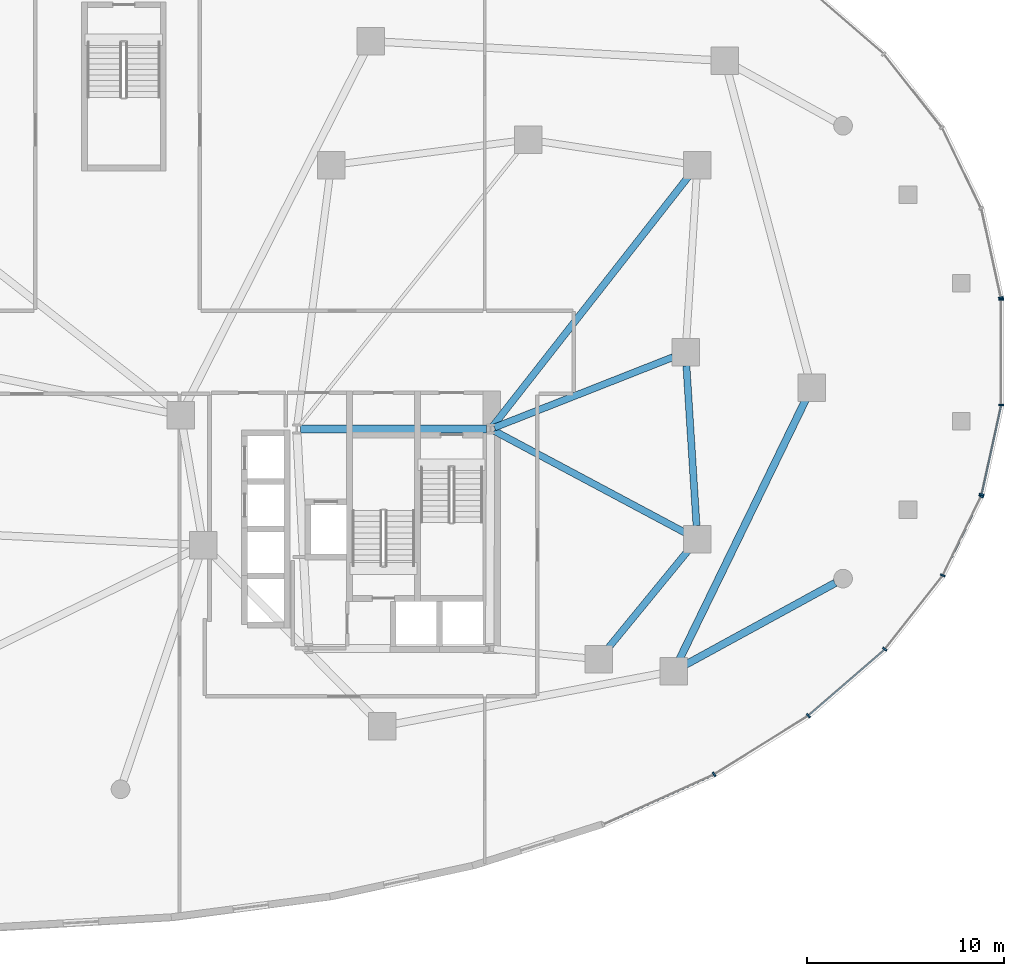
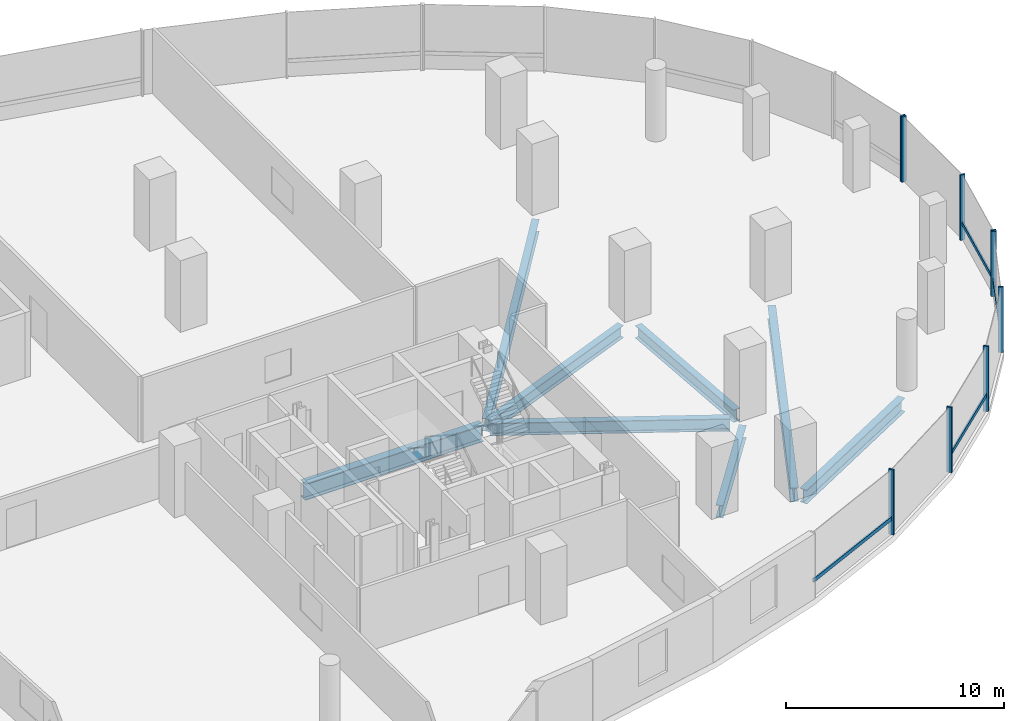
# One storey, part 8 of 19: 13 members, 8 beams, 3 elements without a shape of their own.
"""IFC4 building model written with IfcOpenShell, lengths in metres."""

from ifc_helpers import new_model, si_unit, direction, frame, origin, origin_2d, place, context, subcontext, project, spatial, rectangle, i_section, extrude, material, material_profile, profile_set, type_object, element, aggregate, save


model = new_model("IFC4")

# Units and contexts
model_context = context("Model", 3, precision=1e-05, world=origin(), true_north=direction((0.0, 1.0)))
body_context = subcontext(model_context, "Body", "Model", "MODEL_VIEW")
ifc_project = project(units=[si_unit("LENGTHUNIT", "METRE"), si_unit("AREAUNIT", "SQUARE_METRE"), si_unit("VOLUMEUNIT", "CUBIC_METRE"), si_unit("PLANEANGLEUNIT", "RADIAN"), si_unit("MASSUNIT", "GRAM", prefix="KILO"), si_unit("THERMODYNAMICTEMPERATUREUNIT", "KELVIN"), si_unit("POWERUNIT", "WATT")], contexts=[model_context])

# Site, building, storey
site_placement = place(None, origin())
site = spatial("IfcSite", under=ifc_project, at=site_placement, CompositionType="ELEMENT")
building_placement = place(site_placement, origin())
building = spatial("IfcBuilding", under=site, at=building_placement, Name="Cundina Bronze Exchange", CompositionType="ELEMENT")
storey_placement = place(building_placement, frame((0.0, 0.0, 16.0)))
storey = spatial("IfcBuildingStorey", under=building, at=storey_placement, Name="L03", CompositionType="ELEMENT", Elevation=16.0)

# Beams
ifc_material_1 = material(Name="Steel ASTM A992 Grade 50", Category="steel")
ifc_material_profile_1 = material_profile(ifc_material_1, i_section(OverallWidth=0.35498046875, OverallDepth=0.695068359375, WebThickness=0.015380859375, FlangeThickness=0.02490234375, FilletRadius=0.01806640625, at=origin_2d()), Name="W27X146", Category="steel")
ifc_profile_set_1 = profile_set([ifc_material_profile_1], Name="Steel ASTM A992 Grade 50")
beam_type_1 = type_object("IfcBeamType", Name="BM-RING-W27", PredefinedType="USERDEFINED", material=ifc_profile_set_1)
beam_1_placement = place(storey_placement, frame((37.236083984375, -15.06787109375, -0.697509765625), z_axis=(0.633941925234, 0.773380653644, 0.0), x_axis=(-0.773380653644, 0.633941925234, 0.0)))
element("IfcBeam", 1, at=beam_1_placement, inside=storey, type_object=beam_type_1, Name="L03 E Inner Structural Ring Girder 02", ObjectType="GIRDER", PredefinedType="USERDEFINED", context=body_context, shape_type="SweptSolid", body=[
    extrude(i_section(OverallWidth=0.35498046875, OverallDepth=0.695068359375, WebThickness=0.015380859375, FlangeThickness=0.02490234375, FilletRadius=0.01806640625, at=origin_2d()), origin(), (0.0, 0.0, 1.0), 6.511474609375),
])
beam_2_placement = place(storey_placement, frame((41.756591796875, -8.8134765625, -0.697509765625), z_axis=(-0.063020359641, 0.998012241544, 0.0), x_axis=(-0.998012241544, -0.063020359641, 0.0)))
element("IfcBeam", 2, at=beam_2_placement, inside=storey, type_object=beam_type_1, Name="L03 E Inner Structural Ring Girder 03", ObjectType="GIRDER", PredefinedType="USERDEFINED", context=body_context, shape_type="SweptSolid", body=[
    extrude(i_section(OverallWidth=0.35498046875, OverallDepth=0.695068359375, WebThickness=0.015380859375, FlangeThickness=0.02490234375, FilletRadius=0.01806640625, at=origin_2d()), origin(), (0.0, 0.0, 1.0), 8.14306640625),
])
beam_3_placement = place(storey_placement, frame((31.48974609375, -3.8251953125, -0.697509765625), z_axis=(0.930410463214, 0.366519262715, 0.0), x_axis=(-0.366519262715, 0.930410463214, 0.0)))
element("IfcBeam", 3, at=beam_3_placement, inside=storey, type_object=beam_type_1, Name="L03 E Core-to-Waist Tie Beam 1", ObjectType="GIRDER", PredefinedType="USERDEFINED", context=body_context, shape_type="SweptSolid", body=[
    extrude(i_section(OverallWidth=0.35498046875, OverallDepth=0.695068359375, WebThickness=0.015380859375, FlangeThickness=0.02490234375, FilletRadius=0.01806640625, at=origin_2d()), origin(), (0.0, 0.0, 1.0), 9.74853515625),
])
beam_4_placement = place(storey_placement, frame((31.47998046875, -3.99609375, -0.697509765625), z_axis=(0.882354169055, -0.470585933014, 0.0), x_axis=(0.470585933014, 0.882354169055, 0.0)))
element("IfcBeam", 4, at=beam_4_placement, inside=storey, type_object=beam_type_1, Name="L03 E Core-to-Waist Tie Beam 2", ObjectType="GIRDER", PredefinedType="USERDEFINED", context=body_context, shape_type="SweptSolid", body=[
    extrude(i_section(OverallWidth=0.35498046875, OverallDepth=0.695068359375, WebThickness=0.015380859375, FlangeThickness=0.02490234375, FilletRadius=0.01806640625, at=origin_2d()), origin(), (0.0, 0.0, 1.0), 11.0078125),
])
beam_5_placement = place(storey_placement, frame((31.42578125, -3.739501953125, -0.697509765625), z_axis=(0.616784362929, 0.787132167839, 0.0), x_axis=(-0.787132167839, 0.616784362929, 0.0)))
element("IfcBeam", 5, at=beam_5_placement, inside=storey, type_object=beam_type_1, Name="L03 E Core-to-Waist Tie Beam 3", ObjectType="GIRDER", PredefinedType="USERDEFINED", context=body_context, shape_type="SweptSolid", body=[
    extrude(i_section(OverallWidth=0.35498046875, OverallDepth=0.695068359375, WebThickness=0.015380859375, FlangeThickness=0.02490234375, FilletRadius=0.01806640625, at=origin_2d()), origin(), (0.0, 0.0, 1.0), 16.132080078125),
])
ifc_material_profile_2 = material_profile(ifc_material_1, i_section(OverallWidth=0.381103515625, OverallDepth=0.77294921875, WebThickness=0.0166015625, FlangeThickness=0.027099609375, FilletRadius=0.01904296875, at=origin_2d()), Name="W30X173", Category="steel")
ifc_profile_set_2 = profile_set([ifc_material_profile_2], Name="Steel ASTM A992 Grade 50")
beam_type_2 = type_object("IfcBeamType", Name="BM-RING-W30", PredefinedType="USERDEFINED", material=ifc_profile_set_2)
beam_6_placement = place(storey_placement, frame((48.793701171875, -11.721923828125, -0.736572265625), z_axis=(-0.877499398221, -0.479577737308, 0.0), x_axis=(0.479577737308, -0.877499398221, 0.0)))
element("IfcBeam", 6, at=beam_6_placement, inside=storey, type_object=beam_type_2, Name="L03 Podium Colonnade Tie Beam 08", ObjectType="GIRDER", PredefinedType="USERDEFINED", context=body_context, shape_type="SweptSolid", body=[
    extrude(i_section(OverallWidth=0.381103515625, OverallDepth=0.77294921875, WebThickness=0.0166015625, FlangeThickness=0.027099609375, FilletRadius=0.01904296875, at=origin_2d()), origin(), (0.0, 0.0, 1.0), 8.649658203125),
])
beam_7_placement = place(storey_placement, frame((40.90087890625, -15.581298828125, -0.736572265625), z_axis=(0.437190083216, 0.899369129522, 0.0), x_axis=(-0.899369129522, 0.437190083216, 0.0)))
element("IfcBeam", 7, at=beam_7_placement, inside=storey, type_object=beam_type_2, Name="L03 E Podium Ring Girder 06", ObjectType="GIRDER", PredefinedType="USERDEFINED", context=body_context, shape_type="SweptSolid", body=[
    extrude(i_section(OverallWidth=0.381103515625, OverallDepth=0.77294921875, WebThickness=0.0166015625, FlangeThickness=0.027099609375, FilletRadius=0.01904296875, at=origin_2d()), origin(), (0.0, 0.0, 1.0), 14.63525390625),
])
ifc_material_profile_3 = material_profile(ifc_material_1, i_section(OverallWidth=0.41796875, OverallDepth=0.927001953125, WebThickness=0.019287109375, FlangeThickness=0.031982421875, FilletRadius=0.02392578125, at=origin_2d()), Name="W36X231", Category="steel")
ifc_profile_set_3 = profile_set([ifc_material_profile_3], Name="Steel ASTM A992 Grade 50")
beam_type_3 = type_object("IfcBeamType", Name="BM-WRN-W36B", PredefinedType="USERDEFINED", material=ifc_profile_set_3)
beam_8_placement = place(storey_placement, frame((31.095947265625, -3.89990234375, -0.8134765625), z_axis=(-1.0, 0.0, 0.0), x_axis=(0.0, -1.0, 0.0)))
element("IfcBeam", 8, at=beam_8_placement, inside=storey, type_object=beam_type_3, Name="L03 E Core Perimeter Tie Girder 1", ObjectType="GIRDER", PredefinedType="USERDEFINED", context=body_context, shape_type="SweptSolid", body=[
    extrude(i_section(OverallWidth=0.41796875, OverallDepth=0.927001953125, WebThickness=0.019287109375, FlangeThickness=0.031982421875, FilletRadius=0.02392578125, at=origin_2d()), origin(), (0.0, 0.0, 1.0), 9.44189453125),
])

# Curtain wall, member
ifc_material_2 = material(Name="Anodised Bronze Aluminium 6063-T6", Category="aluminium")
curtain_wall_type = type_object("IfcCurtainWallType", Name="CWS-POD-CONC", PredefinedType="NOTDEFINED", material=ifc_material_2)
curtain_wall_1_placement = place(storey_placement, origin())
curtain_wall_1 = element("IfcCurtainWall", 9, at=curtain_wall_1_placement, inside=storey, type_object=curtain_wall_type, Name="L03 CW-01 Curtain Wall Run CWR-L03-01", PredefinedType="NOTDEFINED")
ifc_material_profile_4 = material_profile(ifc_material_2, rectangle(XDim=0.0849609375, YDim=0.25, at=origin_2d()), Name="AL85X250", Category="aluminium")
ifc_profile_set_4 = profile_set([ifc_material_profile_4], Name="Anodised Bronze Aluminium 6063-T6")
member_type_1 = type_object("IfcMemberType", Name="CWM-MUL-250", PredefinedType="MULLION", material=ifc_profile_set_4)
member_1_placement = place(storey_placement, frame((57.219482421875, 2.76708984375, 0.0), z_axis=(0.0, 0.0, 1.0), x_axis=(-0.214564862428, 0.976709741843, 0.0)))
member_1 = element("IfcMember", 10, at=member_1_placement, type_object=member_type_1, Name="CW-01 Mullion 1", PredefinedType="MULLION", context=body_context, shape_type="SweptSolid", body=[
    extrude(rectangle(XDim=0.0849609375, YDim=0.25, at=origin_2d()), origin(), (0.0, 0.0, 1.0), 3.64990234375),
])
aggregate(curtain_wall_1, [member_1])

# Curtain wall, members
curtain_wall_2_placement = place(storey_placement, origin())
curtain_wall_2 = element("IfcCurtainWall", 11, at=curtain_wall_2_placement, inside=storey, type_object=curtain_wall_type, Name="L03 CW-01 Curtain Wall Run CWR-L03-06", PredefinedType="NOTDEFINED")
member_2_placement = place(storey_placement, frame((42.654052734375, -21.4404296875, 0.0), z_axis=(0.0, 0.0, 1.0), x_axis=(0.849340400263, 0.527845511945, 0.0)))
member_2 = element("IfcMember", 12, at=member_2_placement, type_object=member_type_1, Name="CW-01 Mullion 2", PredefinedType="MULLION", context=body_context, shape_type="SweptSolid", body=[
    extrude(rectangle(XDim=0.0849609375, YDim=0.25, at=origin_2d()), origin(), (0.0, 0.0, 1.0), 3.64990234375),
])
member_3_placement = place(storey_placement, frame((47.43701171875, -18.45849609375, 0.0), z_axis=(0.0, 0.0, 1.0), x_axis=(0.755510544084, 0.6551364879, 0.0)))
member_3 = element("IfcMember", 13, at=member_3_placement, type_object=member_type_1, Name="CW-01 Mullion 3", PredefinedType="MULLION", context=body_context, shape_type="SweptSolid", body=[
    extrude(rectangle(XDim=0.0849609375, YDim=0.25, at=origin_2d()), origin(), (0.0, 0.0, 1.0), 3.64990234375),
])
member_4_placement = place(storey_placement, frame((51.320068359375, -15.08056640625, 0.0), z_axis=(0.0, 0.0, 1.0), x_axis=(0.61950505541, 0.784992666412, 0.0)))
member_4 = element("IfcMember", 14, at=member_4_placement, type_object=member_type_1, Name="CW-01 Mullion 4", PredefinedType="MULLION", context=body_context, shape_type="SweptSolid", body=[
    extrude(rectangle(XDim=0.0849609375, YDim=0.25, at=origin_2d()), origin(), (0.0, 0.0, 1.0), 3.64990234375),
])
member_5_placement = place(storey_placement, frame((54.263427734375, -11.335205078125, 0.0), z_axis=(0.0, 0.0, 1.0), x_axis=(0.435702445497, 0.900090761528, 0.0)))
member_5 = element("IfcMember", 15, at=member_5_placement, type_object=member_type_1, Name="CW-01 Mullion 5", PredefinedType="MULLION", context=body_context, shape_type="SweptSolid", body=[
    extrude(rectangle(XDim=0.0849609375, YDim=0.25, at=origin_2d()), origin(), (0.0, 0.0, 1.0), 3.64990234375),
])
member_6_placement = place(storey_placement, frame((56.211669921875, -7.311279296875, 0.0), z_axis=(0.0, 0.0, 1.0), x_axis=(0.435702445497, 0.900090761528, 0.0)))
member_6 = element("IfcMember", 16, at=member_6_placement, type_object=member_type_1, Name="CW-01 End Mullion", PredefinedType="MULLION", context=body_context, shape_type="SweptSolid", body=[
    extrude(rectangle(XDim=0.0849609375, YDim=0.25, at=origin_2d()), origin(), (0.0, 0.0, 1.0), 3.64990234375),
])

curtain_wall_3_placement = place(storey_placement, origin())
curtain_wall_3 = element("IfcCurtainWall", 17, at=curtain_wall_3_placement, inside=storey, type_object=curtain_wall_type, Name="L03 CW-01 Curtain Wall Run CWR-L03-07", PredefinedType="NOTDEFINED")
member_7_placement = place(storey_placement, frame((56.239013671875, -7.231689453125, 0.0), z_axis=(0.0, 0.0, 1.0), x_axis=(0.214564862428, 0.976709741843, 0.0)))
member_7 = element("IfcMember", 18, at=member_7_placement, type_object=member_type_1, Name="CW-01 Mullion 1", PredefinedType="MULLION", context=body_context, shape_type="SweptSolid", body=[
    extrude(rectangle(XDim=0.0849609375, YDim=0.25, at=origin_2d()), origin(), (0.0, 0.0, 1.0), 3.64990234375),
])
member_8_placement = place(storey_placement, frame((57.22900390625, -2.680419921875, 0.0), z_axis=(0.0, 0.0, 1.0), x_axis=(0.0, 1.0, 0.0)))
member_8 = element("IfcMember", 19, at=member_8_placement, type_object=member_type_1, Name="CW-01 Mullion 2", PredefinedType="MULLION", context=body_context, shape_type="SweptSolid", body=[
    extrude(rectangle(XDim=0.0849609375, YDim=0.25, at=origin_2d()), origin(), (0.0, 0.0, 1.0), 3.64990234375),
])
member_9_placement = place(storey_placement, frame((57.22900390625, 2.680419921875, 0.0), z_axis=(0.0, 0.0, 1.0), x_axis=(0.0, 1.0, 0.0)))
member_9 = element("IfcMember", 20, at=member_9_placement, type_object=member_type_1, Name="CW-01 End Mullion", PredefinedType="MULLION", context=body_context, shape_type="SweptSolid", body=[
    extrude(rectangle(XDim=0.0849609375, YDim=0.25, at=origin_2d()), origin(), (0.0, 0.0, 1.0), 3.64990234375),
])

# Member
ifc_material_profile_5 = material_profile(ifc_material_2, rectangle(XDim=0.080078125, YDim=0.2099609375, at=origin_2d()), Name="AL80X210", Category="aluminium")
ifc_profile_set_5 = profile_set([ifc_material_profile_5], Name="Anodised Bronze Aluminium 6063-T6")
member_type_2 = type_object("IfcMemberType", Name="CWM-TRN-210", PredefinedType="USERDEFINED", material=ifc_profile_set_5)
member_10_placement = place(storey_placement, frame((37.056396484375, -23.97119140625, 0.919921875), z_axis=(0.911641535198, 0.410986266561, 0.0), x_axis=(-0.410986266561, 0.911641535198, 0.0)))
member_10 = element("IfcMember", 21, at=member_10_placement, type_object=member_type_2, Name="CW-01 Spandrel Transom 1", ObjectType="TRANSOM", PredefinedType="USERDEFINED", context=body_context, shape_type="SweptSolid", body=[
    extrude(rectangle(XDim=0.080078125, YDim=0.2099609375, at=origin_2d()), origin(), (0.0, 0.0, 1.0), 6.090576171875),
])

member_11_placement = place(storey_placement, frame((47.472412109375, -18.427734375, 0.919921875), z_axis=(0.755563201238, 0.655075758164, 0.0), x_axis=(-0.655075758164, 0.755563201238, 0.0)))
member_11 = element("IfcMember", 22, at=member_11_placement, type_object=member_type_2, Name="CW-01 Spandrel Transom 3", ObjectType="TRANSOM", PredefinedType="USERDEFINED", context=body_context, shape_type="SweptSolid", body=[
    extrude(rectangle(XDim=0.080078125, YDim=0.2099609375, at=origin_2d()), origin(), (0.0, 0.0, 1.0), 5.055908203125),
])

member_12_placement = place(storey_placement, frame((54.28369140625, -11.293212890625, 0.919921875), z_axis=(0.435776682523, 0.900054822202, 0.0), x_axis=(-0.900054822202, 0.435776682523, 0.0)))
member_12 = element("IfcMember", 23, at=member_12_placement, type_object=member_type_2, Name="CW-01 Spandrel Transom 5", ObjectType="TRANSOM", PredefinedType="USERDEFINED", context=body_context, shape_type="SweptSolid", body=[
    extrude(rectangle(XDim=0.080078125, YDim=0.2099609375, at=origin_2d()), origin(), (0.0, 0.0, 1.0), 4.377197265625),
])

aggregate(curtain_wall_2, [member_10, member_2, member_3, member_11, member_4, member_5, member_6, member_12])

member_13_placement = place(storey_placement, frame((56.249267578125, -7.18603515625, 0.919921875), z_axis=(0.214447065297, 0.976735612224, 0.0), x_axis=(-0.976735612224, 0.214447065297, 0.0)))
member_13 = element("IfcMember", 24, at=member_13_placement, type_object=member_type_2, Name="CW-01 Spandrel Transom 1", ObjectType="TRANSOM", PredefinedType="USERDEFINED", context=body_context, shape_type="SweptSolid", body=[
    extrude(rectangle(XDim=0.080078125, YDim=0.2099609375, at=origin_2d()), origin(), (0.0, 0.0, 1.0), 4.571044921875),
])

aggregate(curtain_wall_3, [member_7, member_13, member_8, member_9])

save(model, "model.ifc")
